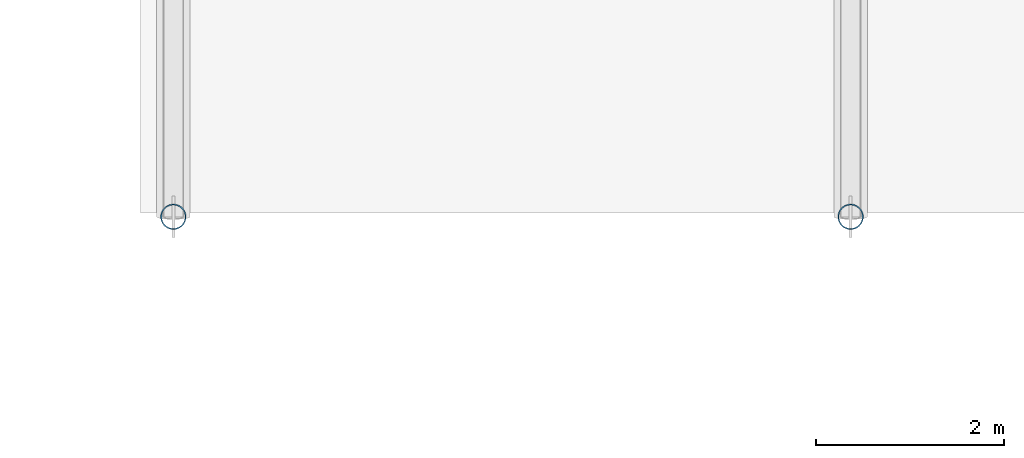
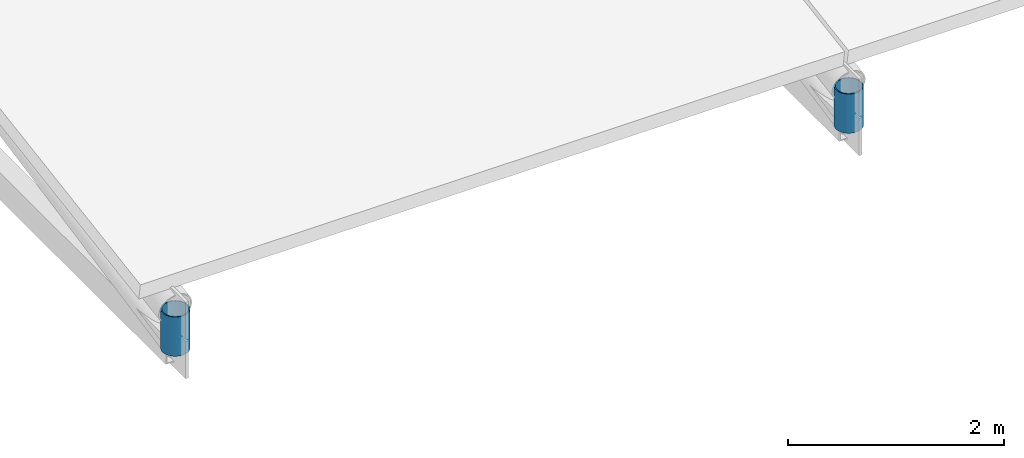
# One storey, part 51 of 72: 2 members.
"""IFC4 building model written with IfcOpenShell, lengths in metres."""

import ifcopenshell
import ifcopenshell.guid

model = None  # the IFC model being written
_history = None  # IfcOwnerHistory: only IFC2X3 demands one
_inside = {}  # id of a spatial element -> (the spatial element, [elements in it])
_under = {}  # id of a project, library or spatial element -> (it, [spatial elements below it])
_declared = {}  # id of a project -> (the project, [libraries it declares])
_typed = {}  # id of a type object -> (the type object, [elements of that type])
_made_of = {}  # id of a material, layer set ... -> (it, [elements and type objects made of it])


def new_model(schema):
    """Start an empty IFC model of exactly this schema.

    Asked for "IFC4X3", IfcOpenShell would pick the latest addendum, in which some entities
    have other attributes; the version numbers below select the first issue.
    IFC2X3 requires an IfcOwnerHistory on every rooted entity: one is made here for all.
    """
    global model, _history
    if schema == "IFC4X3":
        model = ifcopenshell.file(schema_version=(4, 3, 0, 0))
    else:
        model = ifcopenshell.file(schema=schema)
    _inside.clear()
    _under.clear()
    _declared.clear()
    _typed.clear()
    _made_of.clear()
    _history = None
    if model.schema == "IFC2X3":
        org = make("IfcOrganization", Name="unknown")
        user = make(
            "IfcPersonAndOrganization",
            ThePerson=make("IfcPerson", FamilyName="unknown"),
            TheOrganization=org,
        )
        app = make(
            "IfcApplication",
            ApplicationDeveloper=org,
            Version="unknown",
            ApplicationFullName="unknown",
            ApplicationIdentifier="unknown",
        )
        _history = make(
            "IfcOwnerHistory",
            OwningUser=user,
            OwningApplication=app,
            ChangeAction="ADDED",
            CreationDate=0,
        )
    return model


def make(cls, **values):
    """One entity of the class cls with the attributes given. An attribute that is None is left unset."""
    return model.create_entity(
        cls, **{name: value for name, value in values.items() if value is not None}
    )


def rooted(cls, **values):
    """An entity with a GlobalId (a new one), such as an element, a storey or a relation."""
    return make(cls, GlobalId=ifcopenshell.guid.new(), OwnerHistory=_history, **values)


def si_unit(unit_type, name, prefix=None):
    """IfcSIUnit, for example si_unit("LENGTHUNIT", "METRE", prefix="MILLI")."""
    return make("IfcSIUnit", UnitType=unit_type, Prefix=prefix, Name=name)


def assignment(units):
    """IfcUnitAssignment: the units of a project."""
    return None if units is None else make("IfcUnitAssignment", Units=units)


def point(xyz):
    """IfcCartesianPoint."""
    return None if xyz is None else make("IfcCartesianPoint", Coordinates=xyz)


def direction(xyz):
    """IfcDirection."""
    return None if xyz is None else make("IfcDirection", DirectionRatios=xyz)


def frame(location, z_axis=None, x_axis=None):
    """IfcAxis2Placement3D, a coordinate frame: its origin and axes. An axis left out is left unset."""
    return make(
        "IfcAxis2Placement3D",
        Location=point(location),
        Axis=direction(z_axis),
        RefDirection=direction(x_axis),
    )


def frame_2d(location, x_axis=None):
    """IfcAxis2Placement2D, a coordinate frame in the plane: its origin and x axis."""
    return make(
        "IfcAxis2Placement2D", Location=point(location), RefDirection=direction(x_axis)
    )


def origin():
    """The frame at (0, 0, 0) with its axes left unset."""
    return frame((0.0, 0.0, 0.0))


def origin_2d():
    """The frame at (0, 0) in the plane with its x axis left unset."""
    return frame_2d((0.0, 0.0))


def place(relative_to, where):
    """IfcLocalPlacement: puts the frame where relative to a parent placement (None: the world)."""
    return make(
        "IfcLocalPlacement", PlacementRelTo=relative_to, RelativePlacement=where
    )


def context(
    kind, dimensions, precision=None, world=None, true_north=None, identifier=None
):
    """IfcGeometricRepresentationContext, for example the 3D "Model" context."""
    return make(
        "IfcGeometricRepresentationContext",
        ContextIdentifier=identifier,
        ContextType=kind,
        CoordinateSpaceDimension=dimensions,
        Precision=precision,
        WorldCoordinateSystem=world,
        TrueNorth=true_north,
    )


def subcontext(parent, identifier, kind, view, scale=None):
    """IfcGeometricRepresentationSubContext, for example "Body" below "Model"."""
    return make(
        "IfcGeometricRepresentationSubContext",
        ContextIdentifier=identifier,
        ContextType=kind,
        ParentContext=parent,
        TargetScale=scale,
        TargetView=view,
    )


def project(units=None, contexts=None):
    """IfcProject with its units and contexts."""
    return rooted(
        "IfcProject",
        Name="project",
        RepresentationContexts=contexts,
        UnitsInContext=assignment(units),
    )


def spatial(cls, under=None, at=None, **own):
    """A site, building, storey or space (cls), placed at a placement, below another one or the project."""
    s = rooted(cls, ObjectPlacement=at, **own)
    if under is not None:
        _under.setdefault(under.id(), (under, []))[1].append(s)
    return s


def profile(cls, at=None, kind="AREA", **sizes):
    """A parametric profile (cls). Its sizes go by their IFC names, for example OverallWidth=200.0."""
    return make(cls, ProfileType=kind, Position=at, **sizes)


def hollow_circle(**sizes):
    """IfcCircleHollowProfileDef."""
    return profile("IfcCircleHollowProfileDef", **sizes)


def extrude(swept, where, along, depth):
    """IfcExtrudedAreaSolid: the profile swept, set in the frame where, extruded along a direction by depth."""
    return make(
        "IfcExtrudedAreaSolid",
        SweptArea=swept,
        Position=where,
        ExtrudedDirection=direction(along),
        Depth=depth,
    )


def shape(context_of_items, identifier, shape_type, items):
    """IfcShapeRepresentation: the items that make up one representation, for example the "Body"."""
    return make(
        "IfcShapeRepresentation",
        ContextOfItems=context_of_items,
        RepresentationIdentifier=identifier,
        RepresentationType=shape_type,
        Items=items,
    )


def material(Name=None, Category=None):
    """IfcMaterial."""
    return make("IfcMaterial", Name=Name, Category=Category)


def material_profile(
    of_material, cross_section, Name=None, Category=None, Priority=None
):
    """IfcMaterialProfile: a cross section and its material."""
    return make(
        "IfcMaterialProfile",
        Name=Name,
        Material=of_material,
        Profile=cross_section,
        Priority=Priority,
        Category=Category,
    )


def profile_set(profiles, Name=None, composite=None):
    """IfcMaterialProfileSet."""
    return make(
        "IfcMaterialProfileSet",
        Name=Name,
        MaterialProfiles=profiles,
        CompositeProfile=composite,
    )


def made_of(thing, what):
    """Note that an element or type object is made of a material, layer set ...; save() writes the relation."""
    if what is not None:
        _made_of.setdefault(what.id(), (what, []))[1].append(thing)
    return thing


def type_object(cls, material=None, **own):
    """A type object (cls), such as IfcWallType, which elements share."""
    return made_of(rooted(cls, **own), material)


def element(
    cls,
    number,
    at=None,
    inside=None,
    cuts=None,
    type_object=None,
    material=None,
    context=None,
    identifier="Body",
    shape_type=None,
    held_by="IfcProductDefinitionShape",
    body=None,
    shapes=None,
    **own,
):
    """One element of the class cls, such as IfcWall. Its Tag is "e" and its number.

    at: its placement. inside: the storey or other place that contains it. cuts: it is an
    opening in that element (IfcRelVoidsElement). A single representation is given by context,
    identifier, shape_type and body (its items); several are given by shapes. held_by: the class
    of the entity that holds the representations. save() writes the other relations.
    """
    e = rooted(cls, Tag="e%d" % number, ObjectPlacement=at, **own)
    if body is not None:
        shapes = [shape(context, identifier, shape_type, body)]
    if shapes is not None:
        e.Representation = make(held_by, Representations=shapes)
    if inside is not None:
        _inside.setdefault(inside.id(), (inside, []))[1].append(e)
    if cuts is not None:
        rooted(
            "IfcRelVoidsElement", RelatingBuildingElement=cuts, RelatedOpeningElement=e
        )
    if type_object is not None:
        _typed.setdefault(type_object.id(), (type_object, []))[1].append(e)
    return made_of(e, material)


def aggregate(whole, parts):
    """IfcRelAggregates: a whole, such as a stair, and the parts it consists of."""
    return rooted("IfcRelAggregates", RelatingObject=whole, RelatedObjects=parts)


def save(model, path):
    """Write the relations noted so far, then the file.

    IfcRelAggregates (storeys below a building ...), IfcRelContainedInSpatialStructure (elements
    in a storey), IfcRelDefinesByType, IfcRelAssociatesMaterial and IfcRelDeclares: one each for
    every whole, place, type object, material and project.
    """
    for whole, parts in _under.values():
        aggregate(whole, parts)
    for where, things in _inside.values():
        rooted(
            "IfcRelContainedInSpatialStructure",
            RelatedElements=things,
            RelatingStructure=where,
        )
    for kind, things in _typed.values():
        rooted("IfcRelDefinesByType", RelatedObjects=things, RelatingType=kind)
    for what, things in _made_of.values():
        rooted("IfcRelAssociatesMaterial", RelatedObjects=things, RelatingMaterial=what)
    for by, libraries in _declared.values():
        rooted("IfcRelDeclares", RelatingContext=by, RelatedDefinitions=libraries)
    model.write(path)


model = new_model("IFC4")

# Units and contexts
model_context = context("Model", 3, precision=1e-05, world=origin(), true_north=direction((0.0, 1.0)))
body_context = subcontext(model_context, "Body", "Model", "MODEL_VIEW")
ifc_project = project(units=[si_unit("LENGTHUNIT", "METRE"), si_unit("AREAUNIT", "SQUARE_METRE"), si_unit("VOLUMEUNIT", "CUBIC_METRE"), si_unit("PLANEANGLEUNIT", "RADIAN"), si_unit("MASSUNIT", "GRAM", prefix="KILO")], contexts=[model_context])

# Site, building, storey
site_placement = place(None, origin())
site = spatial("IfcSite", under=ifc_project, at=site_placement, CompositionType="ELEMENT")
building_placement = place(site_placement, origin())
building = spatial("IfcBuilding", under=site, at=building_placement, Name="Vaelcorin Mobility Hub", CompositionType="ELEMENT")
storey_placement = place(building_placement, frame((0.0, 0.0, 25.800048828125)))
storey = spatial("IfcBuildingStorey", under=building, at=storey_placement, Name="RF", CompositionType="ELEMENT", Elevation=25.800048828125)

# Members
ifc_material = material(Name="Steel ASTM A500 Grade C", Category="steel")
ifc_material_profile = material_profile(ifc_material, hollow_circle(Radius=0.136474609375, WallThickness=0.0126953125, at=origin_2d()), Name="HSS10.750X0.500")
ifc_profile_set = profile_set([ifc_material_profile], Name="Steel ASTM A500 Grade C")
member_type = type_object("IfcMemberType", Name="SF-POST-10", PredefinedType="POST", material=ifc_profile_set)
for number, where, z_axis, x_axis, name in (
    (1, (123.60009765625, 76.800048828125, -4.199951171875), (0.0, 0.0, 1.0), (1.0, 0.0, 0.0), "V2E Drum Roof Truss Post 1-0"),
    (2, (130.800048828125, 76.800048828125, -4.199951171875), (0.0, 0.0, 1.0), (1.0, 0.0, 0.0), "V2E Drum Roof Truss Post 2-0"),
):
    element("IfcMember", number, at=place(storey_placement, frame(where, z_axis=z_axis, x_axis=x_axis)), inside=storey, type_object=member_type, Name=name, PredefinedType="POST", context=body_context, shape_type="SweptSolid", body=[
        extrude(hollow_circle(Radius=0.136474609375, WallThickness=0.0126953125, at=origin_2d()), origin(), (0.0, 0.0, 1.0), 0.44384765625),
    ])

save(model, "model.ifc")
